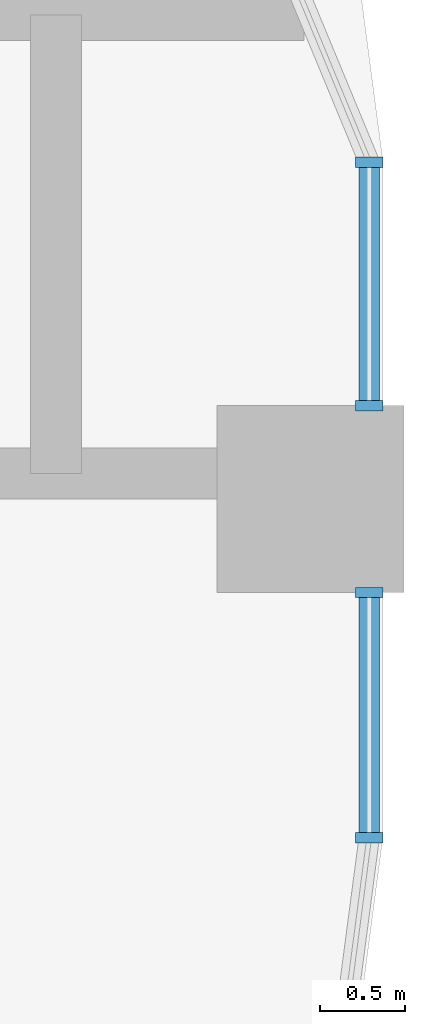
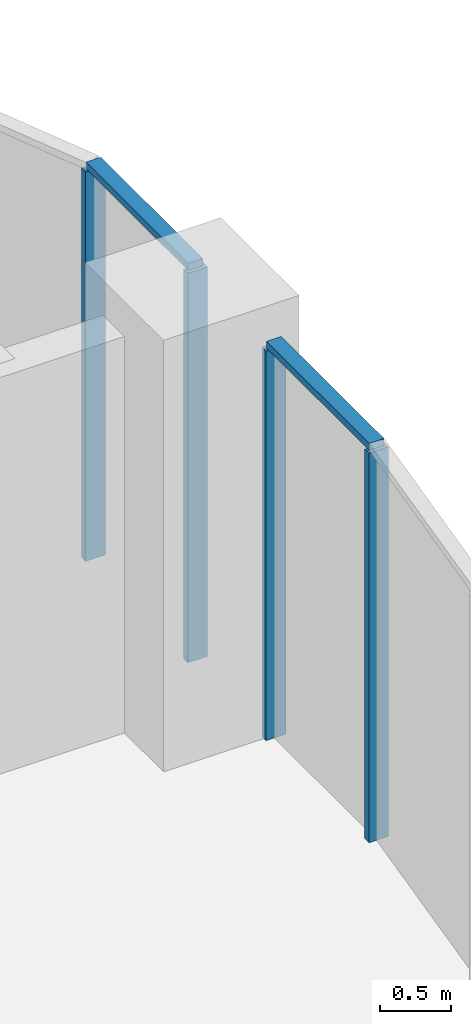
# One storey, part 6 of 21: 6 members, 2 elements without a shape of their own.
"""IFC4 building model written with IfcOpenShell, lengths in metres."""

from ifc_helpers import new_model, si_unit, direction, frame, origin, origin_2d, place, context, subcontext, project, spatial, rectangle, extrude, material, material_profile, profile_set, type_object, element, aggregate, save


model = new_model("IFC4")

# Units and contexts
model_context = context("Model", 3, precision=1e-05, world=origin(), true_north=direction((0.0, 1.0)))
body_context = subcontext(model_context, "Body", "Model", "MODEL_VIEW")
ifc_project = project(units=[si_unit("LENGTHUNIT", "METRE"), si_unit("AREAUNIT", "SQUARE_METRE"), si_unit("VOLUMEUNIT", "CUBIC_METRE"), si_unit("PLANEANGLEUNIT", "RADIAN"), si_unit("MASSUNIT", "GRAM", prefix="KILO")], contexts=[model_context])

# Site, building, storey
site_placement = place(None, origin())
site = spatial("IfcSite", under=ifc_project, at=site_placement, CompositionType="ELEMENT")
building_placement = place(site_placement, origin())
building = spatial("IfcBuilding", under=site, at=building_placement, Name="Ogive Portal Towers", CompositionType="ELEMENT")
storey_placement = place(building_placement, frame((0.0, 0.0, 157.0)))
storey = spatial("IfcBuildingStorey", under=building, at=storey_placement, Name="L38", CompositionType="ELEMENT", Elevation=157.0)

# Curtain wall, members
ifc_material_1 = material(Name="Glass, clear low-iron insulated glazing", Category="glass")
curtain_wall_type = type_object("IfcCurtainWallType", Name="CW FRONT RIBBON 4500", PredefinedType="NOTDEFINED", material=ifc_material_1)
curtain_wall_1_placement = place(storey_placement, origin())
curtain_wall_1 = element("IfcCurtainWall", 1, at=curtain_wall_1_placement, inside=storey, type_object=curtain_wall_type, Name="A:L38:f29:cw0~0", PredefinedType="NOTDEFINED")
ifc_material_2 = material(Name="Aluminium 6063 anodised", Category="aluminium")
ifc_material_profile_1 = material_profile(ifc_material_2, rectangle(XDim=0.159912109375, YDim=0.06005859375, at=origin_2d()), Name="AL 60x160")
ifc_profile_set_1 = profile_set([ifc_material_profile_1], Name="Aluminium 6063 anodised")
member_type_1 = type_object("IfcMemberType", Name="CW MULLION 60x160", PredefinedType="MULLION", material=ifc_profile_set_1)
member_1_placement = place(storey_placement, frame((94.844970703125, 28.505126953125, 0.0), z_axis=(0.0, 0.0, 1.0), x_axis=(-1.0, 0.0, 0.0)))
member_1 = element("IfcMember", 2, at=member_1_placement, type_object=member_type_1, Name="mullion", PredefinedType="MULLION", context=body_context, shape_type="SweptSolid", body=[
    extrude(rectangle(XDim=0.159912109375, YDim=0.06005859375, at=origin_2d()), origin(), (0.0, 0.0, 1.0), 3.340087890625),
])
member_2_placement = place(storey_placement, frame((94.844970703125, 29.949951171875, 0.0), z_axis=(0.0, 0.0, 1.0), x_axis=(-1.0, 0.0, 0.0)))
member_2 = element("IfcMember", 3, at=member_2_placement, type_object=member_type_1, Name="mullion", PredefinedType="MULLION", context=body_context, shape_type="SweptSolid", body=[
    extrude(rectangle(XDim=0.159912109375, YDim=0.06005859375, at=origin_2d()), origin(), (0.0, 0.0, 1.0), 3.340087890625),
])

curtain_wall_2_placement = place(storey_placement, origin())
curtain_wall_2 = element("IfcCurtainWall", 4, at=curtain_wall_2_placement, inside=storey, type_object=curtain_wall_type, Name="A:L38:f29:cw0~1", PredefinedType="NOTDEFINED")
member_3_placement = place(storey_placement, frame((94.844970703125, 31.050048828125, 0.0), z_axis=(0.0, 0.0, 1.0), x_axis=(-1.0, 0.0, 0.0)))
member_3 = element("IfcMember", 5, at=member_3_placement, type_object=member_type_1, Name="mullion", PredefinedType="MULLION", context=body_context, shape_type="SweptSolid", body=[
    extrude(rectangle(XDim=0.159912109375, YDim=0.06005859375, at=origin_2d()), origin(), (0.0, 0.0, 1.0), 3.340087890625),
])
member_4_placement = place(storey_placement, frame((94.844970703125, 32.484130859375, 0.0), z_axis=(0.0, 0.0, 1.0), x_axis=(-1.0, 0.0, 0.0)))
member_4 = element("IfcMember", 6, at=member_4_placement, type_object=member_type_1, Name="mullion", PredefinedType="MULLION", context=body_context, shape_type="SweptSolid", body=[
    extrude(rectangle(XDim=0.159912109375, YDim=0.06005859375, at=origin_2d()), origin(), (0.0, 0.0, 1.0), 3.340087890625),
])

# Member
ifc_material_profile_2 = material_profile(ifc_material_2, rectangle(XDim=0.1201171875, YDim=0.06005859375, at=origin_2d()), Name="AL 120x60")
ifc_profile_set_2 = profile_set([ifc_material_profile_2], Name="Aluminium 6063 anodised")
member_type_2 = type_object("IfcMemberType", Name="CW TRANSOM 60x120", PredefinedType="USERDEFINED", material=ifc_profile_set_2)
member_5_placement = place(storey_placement, frame((94.844970703125, 28.505126953125, 3.3701171875), z_axis=(0.0, 1.0, 0.0), x_axis=(-1.0, 0.0, 0.0)))
member_5 = element("IfcMember", 7, at=member_5_placement, type_object=member_type_2, Name="transom", ObjectType="TRANSOM", PredefinedType="USERDEFINED", context=body_context, shape_type="SweptSolid", body=[
    extrude(rectangle(XDim=0.1201171875, YDim=0.06005859375, at=origin_2d()), origin(), (0.0, 0.0, 1.0), 1.44482421875),
])

aggregate(curtain_wall_1, [member_5, member_1, member_2])

member_6_placement = place(storey_placement, frame((94.844970703125, 31.050048828125, 3.3701171875), z_axis=(0.0, 1.0, 0.0), x_axis=(-1.0, 0.0, 0.0)))
member_6 = element("IfcMember", 8, at=member_6_placement, type_object=member_type_2, Name="transom", ObjectType="TRANSOM", PredefinedType="USERDEFINED", context=body_context, shape_type="SweptSolid", body=[
    extrude(rectangle(XDim=0.1201171875, YDim=0.06005859375, at=origin_2d()), origin(), (0.0, 0.0, 1.0), 1.43408203125),
])

aggregate(curtain_wall_2, [member_6, member_3, member_4])

save(model, "model.ifc")
